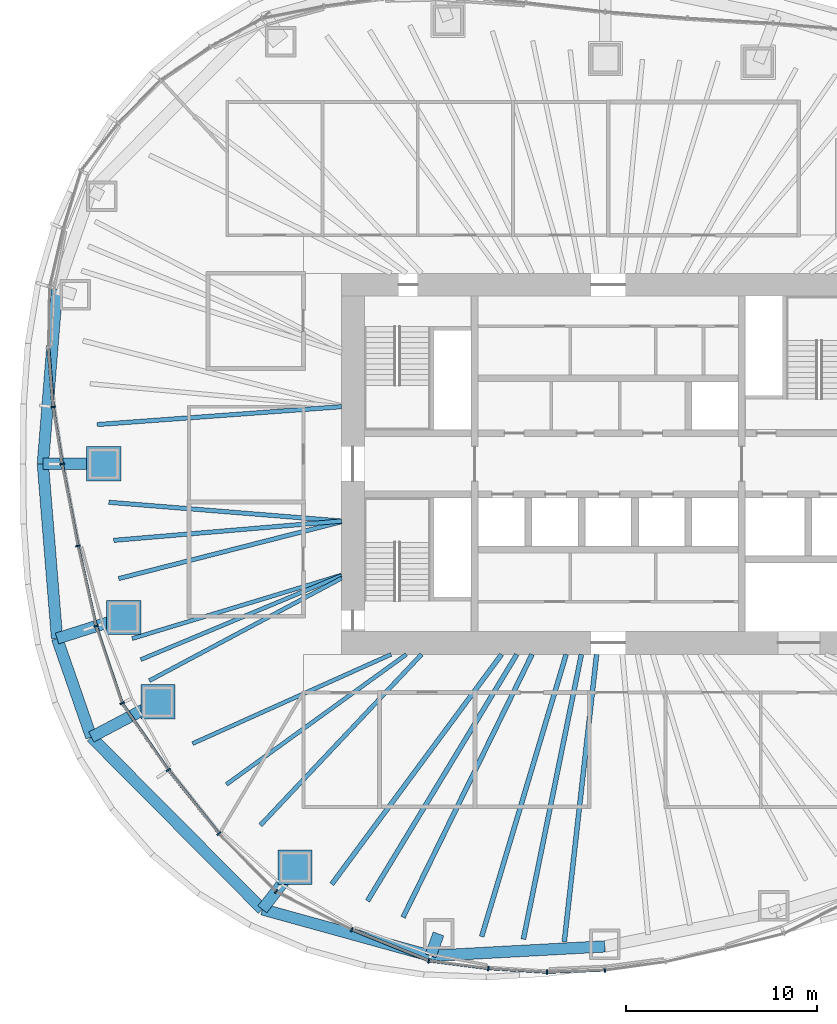
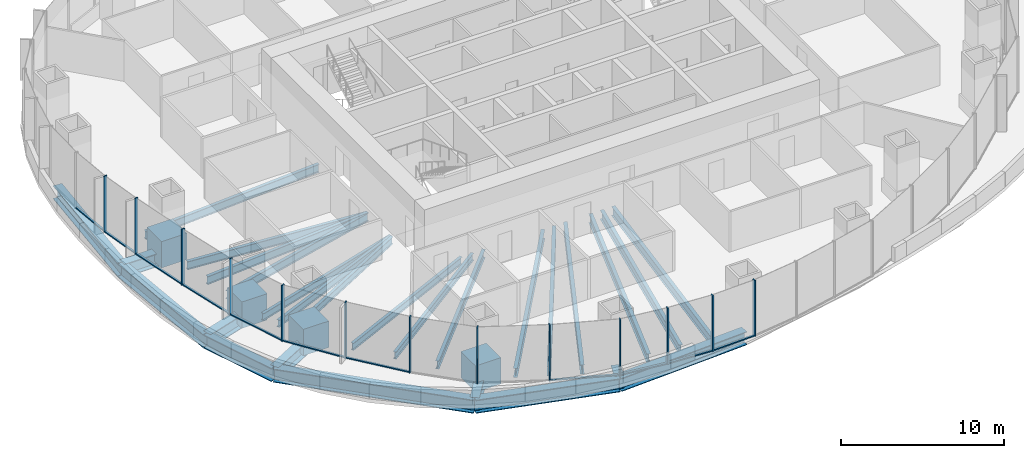
# One storey, part 2 of 20: 28 members, 27 beams, 7 elements without a shape of their own.
"""IFC4 building model written with IfcOpenShell, lengths in metres."""

import ifcopenshell
import ifcopenshell.guid

model = None  # the IFC model being written
_history = None  # IfcOwnerHistory: only IFC2X3 demands one
_inside = {}  # id of a spatial element -> (the spatial element, [elements in it])
_under = {}  # id of a project, library or spatial element -> (it, [spatial elements below it])
_declared = {}  # id of a project -> (the project, [libraries it declares])
_typed = {}  # id of a type object -> (the type object, [elements of that type])
_made_of = {}  # id of a material, layer set ... -> (it, [elements and type objects made of it])


def new_model(schema):
    """Start an empty IFC model of exactly this schema.

    Asked for "IFC4X3", IfcOpenShell would pick the latest addendum, in which some entities
    have other attributes; the version numbers below select the first issue.
    IFC2X3 requires an IfcOwnerHistory on every rooted entity: one is made here for all.
    """
    global model, _history
    if schema == "IFC4X3":
        model = ifcopenshell.file(schema_version=(4, 3, 0, 0))
    else:
        model = ifcopenshell.file(schema=schema)
    _inside.clear()
    _under.clear()
    _declared.clear()
    _typed.clear()
    _made_of.clear()
    _history = None
    if model.schema == "IFC2X3":
        org = make("IfcOrganization", Name="unknown")
        user = make(
            "IfcPersonAndOrganization",
            ThePerson=make("IfcPerson", FamilyName="unknown"),
            TheOrganization=org,
        )
        app = make(
            "IfcApplication",
            ApplicationDeveloper=org,
            Version="unknown",
            ApplicationFullName="unknown",
            ApplicationIdentifier="unknown",
        )
        _history = make(
            "IfcOwnerHistory",
            OwningUser=user,
            OwningApplication=app,
            ChangeAction="ADDED",
            CreationDate=0,
        )
    return model


def make(cls, **values):
    """One entity of the class cls with the attributes given. An attribute that is None is left unset."""
    return model.create_entity(
        cls, **{name: value for name, value in values.items() if value is not None}
    )


def rooted(cls, **values):
    """An entity with a GlobalId (a new one), such as an element, a storey or a relation."""
    return make(cls, GlobalId=ifcopenshell.guid.new(), OwnerHistory=_history, **values)


def si_unit(unit_type, name, prefix=None):
    """IfcSIUnit, for example si_unit("LENGTHUNIT", "METRE", prefix="MILLI")."""
    return make("IfcSIUnit", UnitType=unit_type, Prefix=prefix, Name=name)


def assignment(units):
    """IfcUnitAssignment: the units of a project."""
    return None if units is None else make("IfcUnitAssignment", Units=units)


def point(xyz):
    """IfcCartesianPoint."""
    return None if xyz is None else make("IfcCartesianPoint", Coordinates=xyz)


def direction(xyz):
    """IfcDirection."""
    return None if xyz is None else make("IfcDirection", DirectionRatios=xyz)


def frame(location, z_axis=None, x_axis=None):
    """IfcAxis2Placement3D, a coordinate frame: its origin and axes. An axis left out is left unset."""
    return make(
        "IfcAxis2Placement3D",
        Location=point(location),
        Axis=direction(z_axis),
        RefDirection=direction(x_axis),
    )


def frame_2d(location, x_axis=None):
    """IfcAxis2Placement2D, a coordinate frame in the plane: its origin and x axis."""
    return make(
        "IfcAxis2Placement2D", Location=point(location), RefDirection=direction(x_axis)
    )


def origin():
    """The frame at (0, 0, 0) with its axes left unset."""
    return frame((0.0, 0.0, 0.0))


def origin_2d():
    """The frame at (0, 0) in the plane with its x axis left unset."""
    return frame_2d((0.0, 0.0))


def place(relative_to, where):
    """IfcLocalPlacement: puts the frame where relative to a parent placement (None: the world)."""
    return make(
        "IfcLocalPlacement", PlacementRelTo=relative_to, RelativePlacement=where
    )


def context(
    kind, dimensions, precision=None, world=None, true_north=None, identifier=None
):
    """IfcGeometricRepresentationContext, for example the 3D "Model" context."""
    return make(
        "IfcGeometricRepresentationContext",
        ContextIdentifier=identifier,
        ContextType=kind,
        CoordinateSpaceDimension=dimensions,
        Precision=precision,
        WorldCoordinateSystem=world,
        TrueNorth=true_north,
    )


def subcontext(parent, identifier, kind, view, scale=None):
    """IfcGeometricRepresentationSubContext, for example "Body" below "Model"."""
    return make(
        "IfcGeometricRepresentationSubContext",
        ContextIdentifier=identifier,
        ContextType=kind,
        ParentContext=parent,
        TargetScale=scale,
        TargetView=view,
    )


def project(units=None, contexts=None):
    """IfcProject with its units and contexts."""
    return rooted(
        "IfcProject",
        Name="project",
        RepresentationContexts=contexts,
        UnitsInContext=assignment(units),
    )


def spatial(cls, under=None, at=None, **own):
    """A site, building, storey or space (cls), placed at a placement, below another one or the project."""
    s = rooted(cls, ObjectPlacement=at, **own)
    if under is not None:
        _under.setdefault(under.id(), (under, []))[1].append(s)
    return s


def profile(cls, at=None, kind="AREA", **sizes):
    """A parametric profile (cls). Its sizes go by their IFC names, for example OverallWidth=200.0."""
    return make(cls, ProfileType=kind, Position=at, **sizes)


def rectangle(**sizes):
    """IfcRectangleProfileDef."""
    return profile("IfcRectangleProfileDef", **sizes)


def hollow_rectangle(**sizes):
    """IfcRectangleHollowProfileDef."""
    return profile("IfcRectangleHollowProfileDef", **sizes)


def i_section(**sizes):
    """IfcIShapeProfileDef."""
    return profile("IfcIShapeProfileDef", **sizes)


def extrude(swept, where, along, depth):
    """IfcExtrudedAreaSolid: the profile swept, set in the frame where, extruded along a direction by depth."""
    return make(
        "IfcExtrudedAreaSolid",
        SweptArea=swept,
        Position=where,
        ExtrudedDirection=direction(along),
        Depth=depth,
    )


def boolean(op, a, b):
    """IfcBooleanResult of two solids."""
    return make("IfcBooleanResult", Operator=op, FirstOperand=a, SecondOperand=b)


def shape(context_of_items, identifier, shape_type, items):
    """IfcShapeRepresentation: the items that make up one representation, for example the "Body"."""
    return make(
        "IfcShapeRepresentation",
        ContextOfItems=context_of_items,
        RepresentationIdentifier=identifier,
        RepresentationType=shape_type,
        Items=items,
    )


def material(Name=None, Category=None):
    """IfcMaterial."""
    return make("IfcMaterial", Name=Name, Category=Category)


def material_profile(
    of_material, cross_section, Name=None, Category=None, Priority=None
):
    """IfcMaterialProfile: a cross section and its material."""
    return make(
        "IfcMaterialProfile",
        Name=Name,
        Material=of_material,
        Profile=cross_section,
        Priority=Priority,
        Category=Category,
    )


def profile_set(profiles, Name=None, composite=None):
    """IfcMaterialProfileSet."""
    return make(
        "IfcMaterialProfileSet",
        Name=Name,
        MaterialProfiles=profiles,
        CompositeProfile=composite,
    )


def made_of(thing, what):
    """Note that an element or type object is made of a material, layer set ...; save() writes the relation."""
    if what is not None:
        _made_of.setdefault(what.id(), (what, []))[1].append(thing)
    return thing


def type_object(cls, material=None, **own):
    """A type object (cls), such as IfcWallType, which elements share."""
    return made_of(rooted(cls, **own), material)


def element(
    cls,
    number,
    at=None,
    inside=None,
    cuts=None,
    type_object=None,
    material=None,
    context=None,
    identifier="Body",
    shape_type=None,
    held_by="IfcProductDefinitionShape",
    body=None,
    shapes=None,
    **own,
):
    """One element of the class cls, such as IfcWall. Its Tag is "e" and its number.

    at: its placement. inside: the storey or other place that contains it. cuts: it is an
    opening in that element (IfcRelVoidsElement). A single representation is given by context,
    identifier, shape_type and body (its items); several are given by shapes. held_by: the class
    of the entity that holds the representations. save() writes the other relations.
    """
    e = rooted(cls, Tag="e%d" % number, ObjectPlacement=at, **own)
    if body is not None:
        shapes = [shape(context, identifier, shape_type, body)]
    if shapes is not None:
        e.Representation = make(held_by, Representations=shapes)
    if inside is not None:
        _inside.setdefault(inside.id(), (inside, []))[1].append(e)
    if cuts is not None:
        rooted(
            "IfcRelVoidsElement", RelatingBuildingElement=cuts, RelatedOpeningElement=e
        )
    if type_object is not None:
        _typed.setdefault(type_object.id(), (type_object, []))[1].append(e)
    return made_of(e, material)


def aggregate(whole, parts):
    """IfcRelAggregates: a whole, such as a stair, and the parts it consists of."""
    return rooted("IfcRelAggregates", RelatingObject=whole, RelatedObjects=parts)


def save(model, path):
    """Write the relations noted so far, then the file.

    IfcRelAggregates (storeys below a building ...), IfcRelContainedInSpatialStructure (elements
    in a storey), IfcRelDefinesByType, IfcRelAssociatesMaterial and IfcRelDeclares: one each for
    every whole, place, type object, material and project.
    """
    for whole, parts in _under.values():
        aggregate(whole, parts)
    for where, things in _inside.values():
        rooted(
            "IfcRelContainedInSpatialStructure",
            RelatedElements=things,
            RelatingStructure=where,
        )
    for kind, things in _typed.values():
        rooted("IfcRelDefinesByType", RelatedObjects=things, RelatingType=kind)
    for what, things in _made_of.values():
        rooted("IfcRelAssociatesMaterial", RelatedObjects=things, RelatingMaterial=what)
    for by, libraries in _declared.values():
        rooted("IfcRelDeclares", RelatingContext=by, RelatedDefinitions=libraries)
    model.write(path)


model = new_model("IFC4")

# Units and contexts
model_context = context("Model", 3, precision=1e-05, world=origin(), true_north=direction((0.0, 1.0)))
body_context = subcontext(model_context, "Body", "Model", "MODEL_VIEW")
ifc_project = project(units=[si_unit("LENGTHUNIT", "METRE"), si_unit("AREAUNIT", "SQUARE_METRE"), si_unit("VOLUMEUNIT", "CUBIC_METRE"), si_unit("PLANEANGLEUNIT", "RADIAN"), si_unit("MASSUNIT", "GRAM", prefix="KILO")], contexts=[model_context])

# Site, building, storey
site_placement = place(None, origin())
site = spatial("IfcSite", under=ifc_project, at=site_placement, CompositionType="ELEMENT")
building_placement = place(site_placement, origin())
building = spatial("IfcBuilding", under=site, at=building_placement, Name="Ghaith Harvest Tower", CompositionType="ELEMENT")
storey_placement = place(building_placement, frame((0.0, 0.0, 105.0)))
storey = spatial("IfcBuildingStorey", under=building, at=storey_placement, Name="L21", CompositionType="ELEMENT", Elevation=105.0)

# Curtain wall, member
ifc_material_1 = material(Name="Black anodised aluminium and fritted glass", Category="aluminium")
curtain_wall_type = type_object("IfcCurtainWallType", Name="CW-L CURTAIN WALL", PredefinedType="NOTDEFINED", material=ifc_material_1)
curtain_wall_1_placement = place(storey_placement, origin())
curtain_wall_1 = element("IfcCurtainWall", 1, at=curtain_wall_1_placement, inside=storey, type_object=curtain_wall_type, Name="Curtain wall CW-L bay 10 L21", PredefinedType="NOTDEFINED")
ifc_material_2 = material(Name="Aluminium, black anodised", Category="aluminium")
ifc_material_profile_1 = material_profile(ifc_material_2, rectangle(XDim=0.080078125, YDim=0.239990234375, at=origin_2d()), Name="CW-L MULLION 80x240")
ifc_profile_set_1 = profile_set([ifc_material_profile_1], Name="Aluminium, black anodised")
member_type_1 = type_object("IfcMemberType", Name="CW-L MULLION 80x240", PredefinedType="MULLION", material=ifc_profile_set_1)
member_1_placement = place(storey_placement, frame((-29.131103515625, 2.990478515625, 0.0), z_axis=(0.0, 0.0, 1.0), x_axis=(0.116763791346, -0.993159713757, 0.0)))
member_1 = element("IfcMember", 2, at=member_1_placement, type_object=member_type_1, Name="CW-L mullion 3 bay 10 L21", PredefinedType="MULLION", context=body_context, shape_type="SweptSolid", body=[
    extrude(rectangle(XDim=0.080078125, YDim=0.239990234375, at=origin_2d()), origin(), (0.0, 0.0, 1.0), 4.199951171875),
])

# Curtain wall, members
curtain_wall_2_placement = place(storey_placement, origin())
curtain_wall_2 = element("IfcCurtainWall", 3, at=curtain_wall_2_placement, inside=storey, type_object=curtain_wall_type, Name="Curtain wall CW-L bay 11 L21", PredefinedType="NOTDEFINED")
member_2_placement = place(storey_placement, frame((-28.6611328125, 0.0, 0.0), z_axis=(0.0, 0.0, 1.0), x_axis=(0.175827209372, -0.984421044292, 0.0)))
member_2 = element("IfcMember", 4, at=member_2_placement, type_object=member_type_1, Name="CW-L mullion 1 bay 11 L21", PredefinedType="MULLION", context=body_context, shape_type="SweptSolid", body=[
    extrude(rectangle(XDim=0.080078125, YDim=0.239990234375, at=origin_2d()), origin(), (0.0, 0.0, 1.0), 4.199951171875),
])
member_3_placement = place(storey_placement, frame((-27.828125, -4.30419921875, 0.0), z_axis=(0.0, 0.0, 1.0), x_axis=(0.205176300018, -0.978725030798, 0.0)))
member_3 = element("IfcMember", 5, at=member_3_placement, type_object=member_type_1, Name="CW-L mullion 2 bay 11 L21", PredefinedType="MULLION", context=body_context, shape_type="SweptSolid", body=[
    extrude(rectangle(XDim=0.080078125, YDim=0.239990234375, at=origin_2d()), origin(), (0.0, 0.0, 1.0), 4.199951171875),
])

curtain_wall_3_placement = place(storey_placement, origin())
curtain_wall_3 = element("IfcCurtainWall", 6, at=curtain_wall_3_placement, inside=storey, type_object=curtain_wall_type, Name="Curtain wall CW-L bay 12 L21", PredefinedType="NOTDEFINED")
member_4_placement = place(storey_placement, frame((-26.875732421875, -8.517333984375, 0.0), z_axis=(0.0, 0.0, 1.0), x_axis=(0.270018818005, -0.962855045125, 0.0)))
member_4 = element("IfcMember", 7, at=member_4_placement, type_object=member_type_1, Name="CW-L mullion 1 bay 12 L21", PredefinedType="MULLION", context=body_context, shape_type="SweptSolid", body=[
    extrude(rectangle(XDim=0.080078125, YDim=0.239990234375, at=origin_2d()), origin(), (0.0, 0.0, 1.0), 4.199951171875),
])
member_5_placement = place(storey_placement, frame((-25.513427734375, -12.55810546875, 0.0), z_axis=(0.0, 0.0, 1.0), x_axis=(0.448267068681, -0.893899678452, 0.0)))
member_5 = element("IfcMember", 8, at=member_5_placement, type_object=member_type_1, Name="CW-L mullion 2 bay 12 L21", PredefinedType="MULLION", context=body_context, shape_type="SweptSolid", body=[
    extrude(rectangle(XDim=0.080078125, YDim=0.239990234375, at=origin_2d()), origin(), (0.0, 0.0, 1.0), 4.199951171875),
])

curtain_wall_4_placement = place(storey_placement, origin())
curtain_wall_4 = element("IfcCurtainWall", 9, at=curtain_wall_4_placement, inside=storey, type_object=curtain_wall_type, Name="Curtain wall CW-L bay 13 L21", PredefinedType="NOTDEFINED")
member_6_placement = place(storey_placement, frame((-23.090087890625, -16.066162109375, 0.0), z_axis=(0.0, 0.0, 1.0), x_axis=(0.595740202191, -0.803177198066, 0.0)))
member_6 = element("IfcMember", 10, at=member_6_placement, type_object=member_type_1, Name="CW-L mullion 1 bay 13 L21", PredefinedType="MULLION", context=body_context, shape_type="SweptSolid", body=[
    extrude(rectangle(XDim=0.080078125, YDim=0.239990234375, at=origin_2d()), origin(), (0.0, 0.0, 1.0), 4.199951171875),
])
member_7_placement = place(storey_placement, frame((-20.441162109375, -19.396728515625, 0.0), z_axis=(0.0, 0.0, 1.0), x_axis=(0.663764675537, -0.747941478666, 0.0)))
member_7 = element("IfcMember", 11, at=member_7_placement, type_object=member_type_1, Name="CW-L mullion 2 bay 13 L21", PredefinedType="MULLION", context=body_context, shape_type="SweptSolid", body=[
    extrude(rectangle(XDim=0.080078125, YDim=0.239990234375, at=origin_2d()), origin(), (0.0, 0.0, 1.0), 4.199951171875),
])

curtain_wall_5_placement = place(storey_placement, origin())
curtain_wall_5 = element("IfcCurtainWall", 12, at=curtain_wall_5_placement, inside=storey, type_object=curtain_wall_type, Name="Curtain wall CW-L bay 14 L21", PredefinedType="NOTDEFINED")
member_8_placement = place(storey_placement, frame((-17.430419921875, -22.443603515625, 0.0), z_axis=(0.0, 0.0, 1.0), x_axis=(0.810339399222, -0.585960799089, 0.0)))
member_8 = element("IfcMember", 13, at=member_8_placement, type_object=member_type_1, Name="CW-L mullion 1 bay 14 L21", PredefinedType="MULLION", context=body_context, shape_type="SweptSolid", body=[
    extrude(rectangle(XDim=0.080078125, YDim=0.239990234375, at=origin_2d()), origin(), (0.0, 0.0, 1.0), 4.199951171875),
])
member_9_placement = place(storey_placement, frame((-13.463134765625, -24.4423828125, 0.0), z_axis=(0.0, 0.0, 1.0), x_axis=(0.910648017946, -0.413182995066, 0.0)))
member_9 = element("IfcMember", 14, at=member_9_placement, type_object=member_type_1, Name="CW-L mullion 2 bay 14 L21", PredefinedType="MULLION", context=body_context, shape_type="SweptSolid", body=[
    extrude(rectangle(XDim=0.080078125, YDim=0.239990234375, at=origin_2d()), origin(), (0.0, 0.0, 1.0), 4.199951171875),
])

curtain_wall_6_placement = place(storey_placement, origin())
curtain_wall_6 = element("IfcCurtainWall", 15, at=curtain_wall_6_placement, inside=storey, type_object=curtain_wall_type, Name="Curtain wall CW-L bay 15 L21", PredefinedType="NOTDEFINED")
member_10_placement = place(storey_placement, frame((-9.4189453125, -26.07861328125, 0.0), z_axis=(0.0, 0.0, 1.0), x_axis=(0.961788606004, -0.273793128768, 0.0)))
member_10 = element("IfcMember", 16, at=member_10_placement, type_object=member_type_1, Name="CW-L mullion 1 bay 15 L21", PredefinedType="MULLION", context=body_context, shape_type="SweptSolid", body=[
    extrude(rectangle(XDim=0.080078125, YDim=0.239990234375, at=origin_2d()), origin(), (0.0, 0.0, 1.0), 4.199951171875),
])
member_11_placement = place(storey_placement, frame((-6.29443359375, -26.483154296875, 0.0), z_axis=(0.0, 0.0, 1.0), x_axis=(0.995389243171, -0.095917957546, 0.0)))
member_11 = element("IfcMember", 17, at=member_11_placement, type_object=member_type_1, Name="CW-L mullion 2 bay 15 L21", PredefinedType="MULLION", context=body_context, shape_type="SweptSolid", body=[
    extrude(rectangle(XDim=0.080078125, YDim=0.239990234375, at=origin_2d()), origin(), (0.0, 0.0, 1.0), 4.199951171875),
])
member_12_placement = place(storey_placement, frame((-3.21923828125, -26.676025390625, 0.0), z_axis=(0.0, 0.0, 1.0), x_axis=(0.999890531495, -0.014796115241, 0.0)))
member_12 = element("IfcMember", 18, at=member_12_placement, type_object=member_type_1, Name="CW-L mullion 3 bay 15 L21", PredefinedType="MULLION", context=body_context, shape_type="SweptSolid", body=[
    extrude(rectangle(XDim=0.080078125, YDim=0.239990234375, at=origin_2d()), origin(), (0.0, 0.0, 1.0), 4.199951171875),
])

# Curtain wall, member
curtain_wall_7_placement = place(storey_placement, origin())
curtain_wall_7 = element("IfcCurtainWall", 19, at=curtain_wall_7_placement, inside=storey, type_object=curtain_wall_type, Name="Curtain wall CW-L bay 16 L21", PredefinedType="NOTDEFINED")
member_13_placement = place(storey_placement, frame((-0.181884765625, -26.57373046875, 0.0), z_axis=(0.0, 0.0, 1.0), x_axis=(0.996169227662, 0.087446382772, 0.0)))
member_13 = element("IfcMember", 20, at=member_13_placement, type_object=member_type_1, Name="CW-L mullion 1 bay 16 L21", PredefinedType="MULLION", context=body_context, shape_type="SweptSolid", body=[
    extrude(rectangle(XDim=0.080078125, YDim=0.239990234375, at=origin_2d()), origin(), (0.0, 0.0, 1.0), 4.199951171875),
])
aggregate(curtain_wall_7, [member_13])

# Member
ifc_material_3 = material(Name="Aluminium, black anodised", Category="aluminium")
ifc_material_profile_2 = material_profile(ifc_material_3, rectangle(XDim=0.14990234375, YDim=0.080078125, at=origin_2d()), Name="CW-L TRANSOM 150x80")
ifc_profile_set_2 = profile_set([ifc_material_profile_2], Name="Aluminium, black anodised")
member_type_2 = type_object("IfcMemberType", Name="CW-L TRANSOM 150x80", PredefinedType="USERDEFINED", material=ifc_profile_set_2)
member_14_placement = place(storey_placement, frame((-29.374755859375, 6.05615234375, 0.0400390625), z_axis=(0.079230491279, -0.996856323274, 0.0), x_axis=(0.996856323274, 0.079230491279, 0.0)))
member_14 = element("IfcMember", 21, at=member_14_placement, type_object=member_type_2, Name="CW-L transom 2 bay 10 L21", ObjectType="TRANSOM", PredefinedType="USERDEFINED", context=body_context, shape_type="SweptSolid", body=[
    extrude(rectangle(XDim=0.14990234375, YDim=0.080078125, at=origin_2d()), origin(), (0.0, 0.0, 1.0), 3.03515625),
])

member_15_placement = place(storey_placement, frame((-29.124755859375, 2.951171875, 0.0400390625), z_axis=(0.155150065502, -0.987890913601, 0.0), x_axis=(0.987890913601, 0.155150065502, 0.0)))
member_15 = element("IfcMember", 22, at=member_15_placement, type_object=member_type_2, Name="CW-L transom 3 bay 10 L21", ObjectType="TRANSOM", PredefinedType="USERDEFINED", context=body_context, shape_type="SweptSolid", body=[
    extrude(rectangle(XDim=0.14990234375, YDim=0.080078125, at=origin_2d()), origin(), (0.0, 0.0, 1.0), 2.947265625),
])

aggregate(curtain_wall_1, [member_14, member_1, member_15])

member_16_placement = place(storey_placement, frame((-28.653564453125, -0.039306640625, 0.0400390625), z_axis=(0.190025434036, -0.981779167848, 0.0), x_axis=(0.981779167848, 0.190025434036, 0.0)))
member_16 = element("IfcMember", 23, at=member_16_placement, type_object=member_type_2, Name="CW-L transom 1 bay 11 L21", ObjectType="TRANSOM", PredefinedType="USERDEFINED", context=body_context, shape_type="SweptSolid", body=[
    extrude(rectangle(XDim=0.14990234375, YDim=0.080078125, at=origin_2d()), origin(), (0.0, 0.0, 1.0), 4.303955078125),
])

member_17_placement = place(storey_placement, frame((-27.8193359375, -4.34326171875, 0.0400390625), z_axis=(0.220508326041, -0.975385092231, 0.0), x_axis=(0.975385092231, 0.220508326041, 0.0)))
member_17 = element("IfcMember", 24, at=member_17_placement, type_object=member_type_2, Name="CW-L transom 2 bay 11 L21", ObjectType="TRANSOM", PredefinedType="USERDEFINED", context=body_context, shape_type="SweptSolid", body=[
    extrude(rectangle(XDim=0.14990234375, YDim=0.080078125, at=origin_2d()), origin(), (0.0, 0.0, 1.0), 4.2392578125),
])

aggregate(curtain_wall_2, [member_2, member_16, member_3, member_17])

member_18_placement = place(storey_placement, frame((-26.863037109375, -8.55517578125, 0.0400390625), z_axis=(0.319499057133, -0.947586593664, 0.0), x_axis=(0.947586593664, 0.319499057133, 0.0)))
member_18 = element("IfcMember", 25, at=member_18_placement, type_object=member_type_2, Name="CW-L transom 1 bay 12 L21", ObjectType="TRANSOM", PredefinedType="USERDEFINED", context=body_context, shape_type="SweptSolid", body=[
    extrude(rectangle(XDim=0.14990234375, YDim=0.080078125, at=origin_2d()), origin(), (0.0, 0.0, 1.0), 4.184326171875),
])

member_19_placement = place(storey_placement, frame((-25.49072265625, -12.591064453125, 0.0400390625), z_axis=(0.568360052499, -0.822779952796, 0.0), x_axis=(0.822779952796, 0.568360052499, 0.0)))
member_19 = element("IfcMember", 26, at=member_19_placement, type_object=member_type_2, Name="CW-L transom 2 bay 12 L21", ObjectType="TRANSOM", PredefinedType="USERDEFINED", context=body_context, shape_type="SweptSolid", body=[
    extrude(rectangle(XDim=0.14990234375, YDim=0.080078125, at=origin_2d()), origin(), (0.0, 0.0, 1.0), 4.183837890625),
])

aggregate(curtain_wall_3, [member_4, member_18, member_5, member_19])

member_20_placement = place(storey_placement, frame((-23.065185546875, -16.09765625, 0.0400390625), z_axis=(0.622510542814, -0.782611413209, 0.0), x_axis=(0.782611413209, 0.622510542814, 0.0)))
member_20 = element("IfcMember", 27, at=member_20_placement, type_object=member_type_2, Name="CW-L transom 1 bay 13 L21", ObjectType="TRANSOM", PredefinedType="USERDEFINED", context=body_context, shape_type="SweptSolid", body=[
    extrude(rectangle(XDim=0.14990234375, YDim=0.080078125, at=origin_2d()), origin(), (0.0, 0.0, 1.0), 4.17529296875),
])

aggregate(curtain_wall_4, [member_6, member_20, member_7])

member_21_placement = place(storey_placement, frame((-13.426025390625, -24.45751953125, 0.0400390625), z_axis=(0.92700297754, -0.375053968959, 0.0), x_axis=(0.375053968959, 0.92700297754, 0.0)))
member_21 = element("IfcMember", 28, at=member_21_placement, type_object=member_type_2, Name="CW-L transom 2 bay 14 L21", ObjectType="TRANSOM", PredefinedType="USERDEFINED", context=body_context, shape_type="SweptSolid", body=[
    extrude(rectangle(XDim=0.14990234375, YDim=0.080078125, at=origin_2d()), origin(), (0.0, 0.0, 1.0), 4.282470703125),
])

aggregate(curtain_wall_5, [member_8, member_9, member_21])

member_22_placement = place(storey_placement, frame((-9.37939453125, -26.083740234375, 0.0400390625), z_axis=(0.991722765635, -0.128397648429, 0.0), x_axis=(0.128397648429, 0.991722765635, 0.0)))
member_22 = element("IfcMember", 29, at=member_22_placement, type_object=member_type_2, Name="CW-L transom 1 bay 15 L21", ObjectType="TRANSOM", PredefinedType="USERDEFINED", context=body_context, shape_type="SweptSolid", body=[
    extrude(rectangle(XDim=0.14990234375, YDim=0.080078125, at=origin_2d()), origin(), (0.0, 0.0, 1.0), 3.07080078125),
])

member_23_placement = place(storey_placement, frame((-6.25439453125, -26.485595703125, 0.0400390625), z_axis=(0.998036402434, -0.062636566132, 0.0), x_axis=(0.062636566132, 0.998036402434, 0.0)))
member_23 = element("IfcMember", 30, at=member_23_placement, type_object=member_type_2, Name="CW-L transom 2 bay 15 L21", ObjectType="TRANSOM", PredefinedType="USERDEFINED", context=body_context, shape_type="SweptSolid", body=[
    extrude(rectangle(XDim=0.14990234375, YDim=0.080078125, at=origin_2d()), origin(), (0.0, 0.0, 1.0), 3.001220703125),
])

member_24_placement = place(storey_placement, frame((-3.17919921875, -26.6748046875, 0.0400390625), z_axis=(0.999430436664, 0.033746144522, 0.0), x_axis=(-0.033746144522, 0.999430436664, 0.0)))
member_24 = element("IfcMember", 31, at=member_24_placement, type_object=member_type_2, Name="CW-L transom 3 bay 15 L21", ObjectType="TRANSOM", PredefinedType="USERDEFINED", context=body_context, shape_type="SweptSolid", body=[
    extrude(rectangle(XDim=0.14990234375, YDim=0.080078125, at=origin_2d()), origin(), (0.0, 0.0, 1.0), 2.958984375),
])

aggregate(curtain_wall_6, [member_10, member_22, member_11, member_23, member_12, member_24])

# Beams
ifc_material_4 = material(Name="Steel S460", Category="steel")
ifc_material_profile_3 = material_profile(ifc_material_4, i_section(OverallWidth=0.60009765625, OverallDepth=1.0, WebThickness=0.02490234375, FlangeThickness=0.050048828125, at=origin_2d()), Name="PG1000X600X25X50")
ifc_profile_set_3 = profile_set([ifc_material_profile_3], Name="Steel S460")
beam_type_1 = type_object("IfcBeamType", Name="EPG1000 PG1000X600X25X50", PredefinedType="SPANDREL", material=ifc_profile_set_3)
for number, where, z_axis, x_axis, name in (
    (32, (-28.93017578125, 9.16845703125, -0.77490234375), (-0.080976210817, -0.996716034426, 0.0), (0.996716034426, -0.080976210817, 0.0), "Setback edge beam E10 L21"),
    (33, (-29.675048828125, 0.0, -0.77490234375), (0.080976210817, -0.996716034426, 0.0), (0.996716034426, 0.080976210817, 0.0), "Setback edge beam E11 L21"),
):
    element("IfcBeam", number, at=place(storey_placement, frame(where, z_axis=z_axis, x_axis=x_axis)), inside=storey, type_object=beam_type_1, Name=name, PredefinedType="SPANDREL", context=body_context, shape_type="SweptSolid", body=[
        extrude(i_section(OverallWidth=0.60009765625, OverallDepth=1.0, WebThickness=0.02490234375, FlangeThickness=0.050048828125, at=origin_2d()), origin(), (0.0, 0.0, 1.0), 9.19873046875),
    ])
beam_1_placement = place(storey_placement, frame((-28.93017578125, -9.16845703125, -0.77490234375), z_axis=(0.328292374125, -0.94457615738, 0.0), x_axis=(0.94457615738, 0.328292374125, 0.0)))
element("IfcBeam", 34, at=beam_1_placement, inside=storey, type_object=beam_type_1, Name="Setback edge beam E12 L21", PredefinedType="SPANDREL", context=body_context, shape_type="SweptSolid", body=[
    extrude(i_section(OverallWidth=0.60009765625, OverallDepth=1.0, WebThickness=0.02490234375, FlangeThickness=0.050048828125, at=origin_2d()), origin(), (0.0, 0.0, 1.0), 5.476318359375),
])
beam_2_placement = place(storey_placement, frame((-27.13232421875, -14.34130859375, -0.77490234375), z_axis=(0.704591401577, -0.709613244538, 0.0), x_axis=(0.709613244538, 0.704591401577, 0.0)))
element("IfcBeam", 35, at=beam_2_placement, inside=storey, type_object=beam_type_1, Name="Setback edge beam E13 L21", PredefinedType="SPANDREL", context=body_context, shape_type="SweptSolid", body=[
    extrude(i_section(OverallWidth=0.60009765625, OverallDepth=1.0, WebThickness=0.02490234375, FlangeThickness=0.050048828125, at=origin_2d()), origin(), (0.0, 0.0, 1.0), 12.7373046875),
])
beam_3_placement = place(storey_placement, frame((-18.15771484375, -23.3798828125, -0.77490234375), z_axis=(0.963849273631, -0.26644807697, 0.0), x_axis=(0.26644807697, 0.963849273631, 0.0)))
element("IfcBeam", 36, at=beam_3_placement, inside=storey, type_object=beam_type_1, Name="Setback edge beam E14 L21", PredefinedType="SPANDREL", context=body_context, shape_type="SweptSolid", body=[
    extrude(i_section(OverallWidth=0.60009765625, OverallDepth=1.0, WebThickness=0.02490234375, FlangeThickness=0.050048828125, at=origin_2d()), origin(), (0.0, 0.0, 1.0), 9.162841796875),
])
beam_4_placement = place(storey_placement, frame((-9.326171875, -25.8212890625, -0.77490234375), z_axis=(0.998545840532, 0.053909223293, 0.0), x_axis=(-0.053909223293, 0.998545840532, 0.0)))
element("IfcBeam", 37, at=beam_4_placement, inside=storey, type_object=beam_type_1, Name="Setback edge beam E15 L21", PredefinedType="SPANDREL", context=body_context, shape_type="SweptSolid", body=[
    extrude(i_section(OverallWidth=0.60009765625, OverallDepth=1.0, WebThickness=0.02490234375, FlangeThickness=0.050048828125, at=origin_2d()), origin(), (0.0, 0.0, 1.0), 9.166259765625),
])
ifc_material_5 = material(Name="Steel S460", Category="steel")
ifc_material_profile_4 = material_profile(ifc_material_5, i_section(OverallWidth=0.60009765625, OverallDepth=1.0, WebThickness=0.02490234375, FlangeThickness=0.050048828125, at=origin_2d()), Name="PG1000X600X25X50")
ifc_profile_set_4 = profile_set([ifc_material_profile_4], Name="Steel S460")
beam_type_2 = type_object("IfcBeamType", Name="GPG1000 PG1000X600X25X50", PredefinedType="BEAM", material=ifc_profile_set_4)
beam_5_placement = place(storey_placement, frame((-26.47509765625, 0.0, -0.77490234375), z_axis=(-1.0, 0.0, 0.0), x_axis=(0.0, -1.0, 0.0)))
element("IfcBeam", 38, at=beam_5_placement, inside=storey, type_object=beam_type_2, Name="Setback cantilever G11 L21", PredefinedType="BEAM", context=body_context, shape_type="SweptSolid", body=[
    extrude(i_section(OverallWidth=0.60009765625, OverallDepth=1.0, WebThickness=0.02490234375, FlangeThickness=0.050048828125, at=origin_2d()), origin(), (0.0, 0.0, 1.0), 3.199951171875),
])
beam_6_placement = place(storey_placement, frame((-25.43603515625, -8.06103515625, -0.77490234375), z_axis=(-0.953268073875, -0.302125767405, 0.0), x_axis=(0.302125767405, -0.953268073875, 0.0)))
element("IfcBeam", 39, at=beam_6_placement, inside=storey, type_object=beam_type_2, Name="Setback cantilever G12 L21", PredefinedType="BEAM", context=body_context, shape_type="SweptSolid", body=[
    extrude(i_section(OverallWidth=0.60009765625, OverallDepth=1.0, WebThickness=0.02490234375, FlangeThickness=0.050048828125, at=origin_2d()), origin(), (0.0, 0.0, 1.0), 3.66552734375),
])
beam_7_placement = place(storey_placement, frame((-23.635009765625, -12.492919921875, -0.77490234375), z_axis=(-0.884114974063, -0.467269421894, 0.0), x_axis=(0.467269421894, -0.884114974063, 0.0)))
element("IfcBeam", 40, at=beam_7_placement, inside=storey, type_object=beam_type_2, Name="Setback cantilever G13 L21", PredefinedType="BEAM", context=body_context, shape_type="SweptSolid", body=[
    extrude(i_section(OverallWidth=0.60009765625, OverallDepth=1.0, WebThickness=0.02490234375, FlangeThickness=0.050048828125, at=origin_2d()), origin(), (0.0, 0.0, 1.0), 3.955810546875),
])
beam_8_placement = place(storey_placement, frame((-16.43701171875, -21.1640625, -0.77490234375), z_axis=(-0.613337967904, -0.789820572743, 0.0), x_axis=(0.789820572743, -0.613337967904, 0.0)))
element("IfcBeam", 41, at=beam_8_placement, inside=storey, type_object=beam_type_2, Name="Setback cantilever G14 L21", PredefinedType="BEAM", context=body_context, shape_type="SweptSolid", body=[
    extrude(i_section(OverallWidth=0.60009765625, OverallDepth=1.0, WebThickness=0.02490234375, FlangeThickness=0.050048828125, at=origin_2d()), origin(), (0.0, 0.0, 1.0), 2.805419921875),
])
beam_9_placement = place(storey_placement, frame((-8.908935546875, -24.66796875, -0.77490234375), z_axis=(-0.3401922607, -0.940355903772, 0.0), x_axis=(0.940355903772, -0.3401922607, 0.0)))
element("IfcBeam", 42, at=beam_9_placement, inside=storey, type_object=beam_type_2, Name="Setback cantilever G15 L21", PredefinedType="BEAM", context=body_context, shape_type="SweptSolid", body=[
    extrude(i_section(OverallWidth=0.60009765625, OverallDepth=1.0, WebThickness=0.02490234375, FlangeThickness=0.050048828125, at=origin_2d()), origin(), (0.0, 0.0, 1.0), 1.2265625),
])
ifc_material_6 = material(Name="Steel ASTM A992 Grade 50", Category="steel")
ifc_material_profile_5 = material_profile(ifc_material_6, i_section(OverallWidth=0.2109375, OverallDepth=0.5390625, WebThickness=0.01171875, FlangeThickness=0.018798828125, at=origin_2d()), Name="W530X109")
ifc_profile_set_5 = profile_set([ifc_material_profile_5], Name="Steel ASTM A992 Grade 50")
beam_type_3 = type_object("IfcBeamType", Name="J530-109 W530X109", PredefinedType="JOIST", material=ifc_profile_set_5)
beam_10_placement = place(storey_placement, frame((-14.0, -5.8369140625, -0.439453125), z_axis=(-0.95693260078, -0.290310174751, 0.0), x_axis=(0.290310174751, -0.95693260078, 0.0)))
element("IfcBeam", 43, at=beam_10_placement, inside=storey, type_object=beam_type_3, Name="Joist J12.1 L21", PredefinedType="JOIST", context=body_context, shape_type="SweptSolid", body=[
    extrude(i_section(OverallWidth=0.2109375, OverallDepth=0.5390625, WebThickness=0.01171875, FlangeThickness=0.018798828125, at=origin_2d()), origin(), (0.0, 0.0, 1.0), 11.47998046875),
])
beam_11_placement = place(storey_placement, frame((-14.0, -5.862548828125, -0.439453125), z_axis=(-0.922385564947, -0.386270461693, 0.0), x_axis=(0.386270461693, -0.922385564947, 0.0)))
element("IfcBeam", 44, at=beam_11_placement, inside=storey, type_object=beam_type_3, Name="Joist J12.2 L21", PredefinedType="JOIST", context=body_context, shape_type="SweptSolid", body=[
    extrude(i_section(OverallWidth=0.2109375, OverallDepth=0.5390625, WebThickness=0.01171875, FlangeThickness=0.018798828125, at=origin_2d()), origin(), (0.0, 0.0, 1.0), 11.4228515625),
])
beam_12_placement = place(storey_placement, frame((-14.0, -6.0, -0.439453125), z_axis=(-0.882301506662, -0.470684662318, 0.0), x_axis=(0.470684662318, -0.882301506662, 0.0)))
element("IfcBeam", 45, at=beam_12_placement, inside=storey, type_object=beam_type_3, Name="Joist J12.3 L21", PredefinedType="JOIST", context=body_context, shape_type="SweptSolid", body=[
    extrude(i_section(OverallWidth=0.2109375, OverallDepth=0.5390625, WebThickness=0.01171875, FlangeThickness=0.018798828125, at=origin_2d()), origin(), (0.0, 0.0, 1.0), 11.4326171875),
])
beam_13_placement = place(storey_placement, frame((-11.39990234375, -10.0, -0.439453125), z_axis=(-0.912147734774, -0.409861574127, 0.0), x_axis=(0.409861574127, -0.912147734774, 0.0)))
element("IfcBeam", 46, at=beam_13_placement, inside=storey, type_object=beam_type_3, Name="Joist J13.1 L21", PredefinedType="JOIST", context=body_context, shape_type="SweptSolid", body=[
    extrude(i_section(OverallWidth=0.2109375, OverallDepth=0.5390625, WebThickness=0.01171875, FlangeThickness=0.018798828125, at=origin_2d()), origin(), (0.0, 0.0, 1.0), 11.421875),
])
beam_14_placement = place(storey_placement, frame((-10.60009765625, -10.0, -0.439453125), z_axis=(-0.810452010932, -0.5858050341, 0.0), x_axis=(0.5858050341, -0.810452010932, 0.0)))
element("IfcBeam", 47, at=beam_14_placement, inside=storey, type_object=beam_type_3, Name="Joist J13.2 L21", PredefinedType="JOIST", context=body_context, shape_type="SweptSolid", body=[
    extrude(i_section(OverallWidth=0.2109375, OverallDepth=0.5390625, WebThickness=0.01171875, FlangeThickness=0.018798828125, at=origin_2d()), origin(), (0.0, 0.0, 1.0), 11.64794921875),
])
ifc_material_7 = material(Name="Steel ASTM A992 Grade 50", Category="steel")
ifc_material_profile_6 = material_profile(ifc_material_7, i_section(OverallWidth=0.22900390625, OverallDepth=0.612060546875, WebThickness=0.011962890625, FlangeThickness=0.01953125, at=origin_2d()), Name="W610X125")
ifc_profile_set_6 = profile_set([ifc_material_profile_6], Name="Steel ASTM A992 Grade 50")
beam_type_4 = type_object("IfcBeamType", Name="J610-125 W610X125", PredefinedType="JOIST", material=ifc_profile_set_6)
beam_15_placement = place(storey_placement, frame((-14.0, 3.0, -0.47607421875), z_axis=(-0.997337799795, -0.072919908802, 0.0), x_axis=(0.072919908802, -0.997337799795, 0.0)))
element("IfcBeam", 48, at=beam_15_placement, inside=storey, type_object=beam_type_4, Name="Joist J10.3 L21", PredefinedType="JOIST", context=body_context, shape_type="SweptSolid", body=[
    extrude(i_section(OverallWidth=0.22900390625, OverallDepth=0.612060546875, WebThickness=0.011962890625, FlangeThickness=0.01953125, at=origin_2d()), origin(), (0.0, 0.0, 1.0), 12.85986328125),
])
beam_16_placement = place(storey_placement, frame((-14.0, -3.0, -0.47607421875), z_axis=(-0.996767018052, 0.080346199185, 0.0), x_axis=(-0.080346199185, -0.996767018052, 0.0)))
element("IfcBeam", 49, at=beam_16_placement, inside=storey, type_object=beam_type_4, Name="Joist J11.1 L21", PredefinedType="JOIST", context=body_context, shape_type="SweptSolid", body=[
    extrude(i_section(OverallWidth=0.22900390625, OverallDepth=0.612060546875, WebThickness=0.011962890625, FlangeThickness=0.01953125, at=origin_2d()), origin(), (0.0, 0.0, 1.0), 12.254638671875),
])
beam_17_placement = place(storey_placement, frame((-14.0, -3.0, -0.47607421875), z_axis=(-0.996417474722, -0.0845707755, 0.0), x_axis=(0.0845707755, -0.996417474722, 0.0)))
element("IfcBeam", 50, at=beam_17_placement, inside=storey, type_object=beam_type_4, Name="Joist J11.2 L21", PredefinedType="JOIST", context=body_context, shape_type="SweptSolid", body=[
    extrude(i_section(OverallWidth=0.22900390625, OverallDepth=0.612060546875, WebThickness=0.011962890625, FlangeThickness=0.01953125, at=origin_2d()), origin(), (0.0, 0.0, 1.0), 12.00048828125),
])
beam_18_placement = place(storey_placement, frame((-14.0, -3.036865234375, -0.47607421875), z_axis=(-0.96895348483, -0.247243087337, 0.0), x_axis=(0.247243087337, -0.96895348483, 0.0)))
element("IfcBeam", 51, at=beam_18_placement, inside=storey, type_object=beam_type_4, Name="Joist J11.3 L21", PredefinedType="JOIST", context=body_context, shape_type="SweptSolid", body=[
    extrude(i_section(OverallWidth=0.22900390625, OverallDepth=0.612060546875, WebThickness=0.011962890625, FlangeThickness=0.01953125, at=origin_2d()), origin(), (0.0, 0.0, 1.0), 12.073486328125),
])
beam_19_placement = place(storey_placement, frame((-9.800048828125, -10.0, -0.47607421875), z_axis=(-0.686201843725, -0.727411183354, 0.0), x_axis=(0.727411183354, -0.686201843725, 0.0)))
element("IfcBeam", 52, at=beam_19_placement, inside=storey, type_object=beam_type_4, Name="Joist J13.3 L21", PredefinedType="JOIST", context=body_context, shape_type="SweptSolid", body=[
    extrude(i_section(OverallWidth=0.22900390625, OverallDepth=0.612060546875, WebThickness=0.011962890625, FlangeThickness=0.01953125, at=origin_2d()), origin(), (0.0, 0.0, 1.0), 12.32861328125),
])
ifc_material_8 = material(Name="Steel ASTM A992 Grade 50", Category="steel")
ifc_material_profile_7 = material_profile(ifc_material_8, i_section(OverallWidth=0.25390625, OverallDepth=0.68408203125, WebThickness=0.012451171875, FlangeThickness=0.018798828125, at=origin_2d()), Name="W690X140")
ifc_profile_set_7 = profile_set([ifc_material_profile_7], Name="Steel ASTM A992 Grade 50")
beam_type_5 = type_object("IfcBeamType", Name="J690-140 W690X140", PredefinedType="JOIST", material=ifc_profile_set_7)
beam_20_placement = place(storey_placement, frame((-5.60009765625, -10.0, -0.511962890625), z_axis=(-0.59434024765, -0.804213696739, 0.0), x_axis=(0.804213696739, -0.59434024765, 0.0)))
element("IfcBeam", 53, at=beam_20_placement, inside=storey, type_object=beam_type_5, Name="Joist J14.1 L21", PredefinedType="JOIST", context=body_context, shape_type="SweptSolid", body=[
    extrude(i_section(OverallWidth=0.25390625, OverallDepth=0.68408203125, WebThickness=0.012451171875, FlangeThickness=0.018798828125, at=origin_2d()), origin(), (0.0, 0.0, 1.0), 14.995849609375),
])
beam_21_placement = place(storey_placement, frame((-4.800048828125, -10.0, -0.511962890625), z_axis=(-0.517986442874, -0.855388826791, 0.0), x_axis=(0.855388826791, -0.517986442874, 0.0)))
element("IfcBeam", 54, at=beam_21_placement, inside=storey, type_object=beam_type_5, Name="Joist J14.2 L21", PredefinedType="JOIST", context=body_context, shape_type="SweptSolid", body=[
    extrude(i_section(OverallWidth=0.25390625, OverallDepth=0.68408203125, WebThickness=0.012451171875, FlangeThickness=0.018798828125, at=origin_2d()), origin(), (0.0, 0.0, 1.0), 15.12158203125),
])
beam_22_placement = place(storey_placement, frame((-4.0, -10.0, -0.511962890625), z_axis=(-0.440562898219, -0.897721745706, 0.0), x_axis=(0.897721745706, -0.440562898219, 0.0)))
element("IfcBeam", 55, at=beam_22_placement, inside=storey, type_object=beam_type_5, Name="Joist J14.3 L21", PredefinedType="JOIST", context=body_context, shape_type="SweptSolid", body=[
    extrude(i_section(OverallWidth=0.25390625, OverallDepth=0.68408203125, WebThickness=0.012451171875, FlangeThickness=0.018798828125, at=origin_2d()), origin(), (0.0, 0.0, 1.0), 15.372802734375),
])
beam_23_placement = place(storey_placement, frame((-2.2119140625, -10.0, -0.511962890625), z_axis=(-0.286710402159, -0.958017299058, 0.0), x_axis=(0.958017299058, -0.286710402159, 0.0)))
element("IfcBeam", 56, at=beam_23_placement, inside=storey, type_object=beam_type_5, Name="Joist J15.1 L21", PredefinedType="JOIST", context=body_context, shape_type="SweptSolid", body=[
    extrude(i_section(OverallWidth=0.25390625, OverallDepth=0.68408203125, WebThickness=0.012451171875, FlangeThickness=0.018798828125, at=origin_2d()), origin(), (0.0, 0.0, 1.0), 15.461181640625),
])
beam_24_placement = place(storey_placement, frame((-1.411865234375, -10.0, -0.511962890625), z_axis=(-0.199496654065, -0.979898507508, 0.0), x_axis=(0.979898507508, -0.199496654065, 0.0)))
element("IfcBeam", 57, at=beam_24_placement, inside=storey, type_object=beam_type_5, Name="Joist J15.2 L21", PredefinedType="JOIST", context=body_context, shape_type="SweptSolid", body=[
    extrude(i_section(OverallWidth=0.25390625, OverallDepth=0.68408203125, WebThickness=0.012451171875, FlangeThickness=0.018798828125, at=origin_2d()), origin(), (0.0, 0.0, 1.0), 15.258056640625),
])
beam_25_placement = place(storey_placement, frame((-0.61181640625, -10.0, -0.511962890625), z_axis=(-0.111786833643, -0.993732209312, 0.0), x_axis=(0.993732209312, -0.111786833643, 0.0)))
element("IfcBeam", 58, at=beam_25_placement, inside=storey, type_object=beam_type_5, Name="Joist J15.3 L21", PredefinedType="JOIST", context=body_context, shape_type="SweptSolid", body=[
    extrude(i_section(OverallWidth=0.25390625, OverallDepth=0.68408203125, WebThickness=0.012451171875, FlangeThickness=0.018798828125, at=origin_2d()), origin(), (0.0, 0.0, 1.0), 15.18310546875),
])

# Members
ifc_material_9 = material(Name="Steel S690QL", Category="steel")
ifc_material_profile_8 = material_profile(ifc_material_9, hollow_rectangle(XDim=1.800048828125, YDim=1.800048828125, WallThickness=0.14990234375, at=origin_2d()), Name="BOX1800X1800X150")
ifc_profile_set_8 = profile_set([ifc_material_profile_8], Name="Steel S690QL")
member_type_3 = type_object("IfcMemberType", Name="KN3 BOX1800X1800X150", PredefinedType="USERDEFINED", material=ifc_profile_set_8)
for number, where, z_axis, x_axis, name in (
    (59, (-26.47509765625, 0.0, -0.97509765625), (0.0, 0.0, 1.0), (1.0, 0.0, 0.0), "Raked column kink node C11 head L20"),
    (60, (-25.43603515625, -8.06103515625, -0.97509765625), (0.0, 0.0, 1.0), (1.0, 0.0, 0.0), "Raked column kink node C12 head L20"),
    (61, (-23.635009765625, -12.492919921875, -0.97509765625), (0.0, 0.0, 1.0), (1.0, 0.0, 0.0), "Raked column kink node C13 head L20"),
    (62, (-16.43701171875, -21.1640625, -0.97509765625), (0.0, 0.0, 1.0), (1.0, 0.0, 0.0), "Raked column kink node C14 head L20"),
):
    element("IfcMember", number, at=place(storey_placement, frame(where, z_axis=z_axis, x_axis=x_axis)), inside=storey, type_object=member_type_3, Name=name, ObjectType="KINK NODE", PredefinedType="USERDEFINED", context=body_context, shape_type="CSG", body=[
        boolean("UNION", extrude(hollow_rectangle(XDim=1.800048828125, YDim=1.800048828125, WallThickness=0.14990234375, at=origin_2d()), origin(), (0.0, 0.0, 1.0), 1.9501953125), extrude(rectangle(XDim=1.800048828125, YDim=1.800048828125, at=origin_2d()), frame((0.0, 0.0, 1.9501953125)), (0.0, 0.0, 1.0), 0.02490234375)),
    ])

save(model, "model.ifc")
